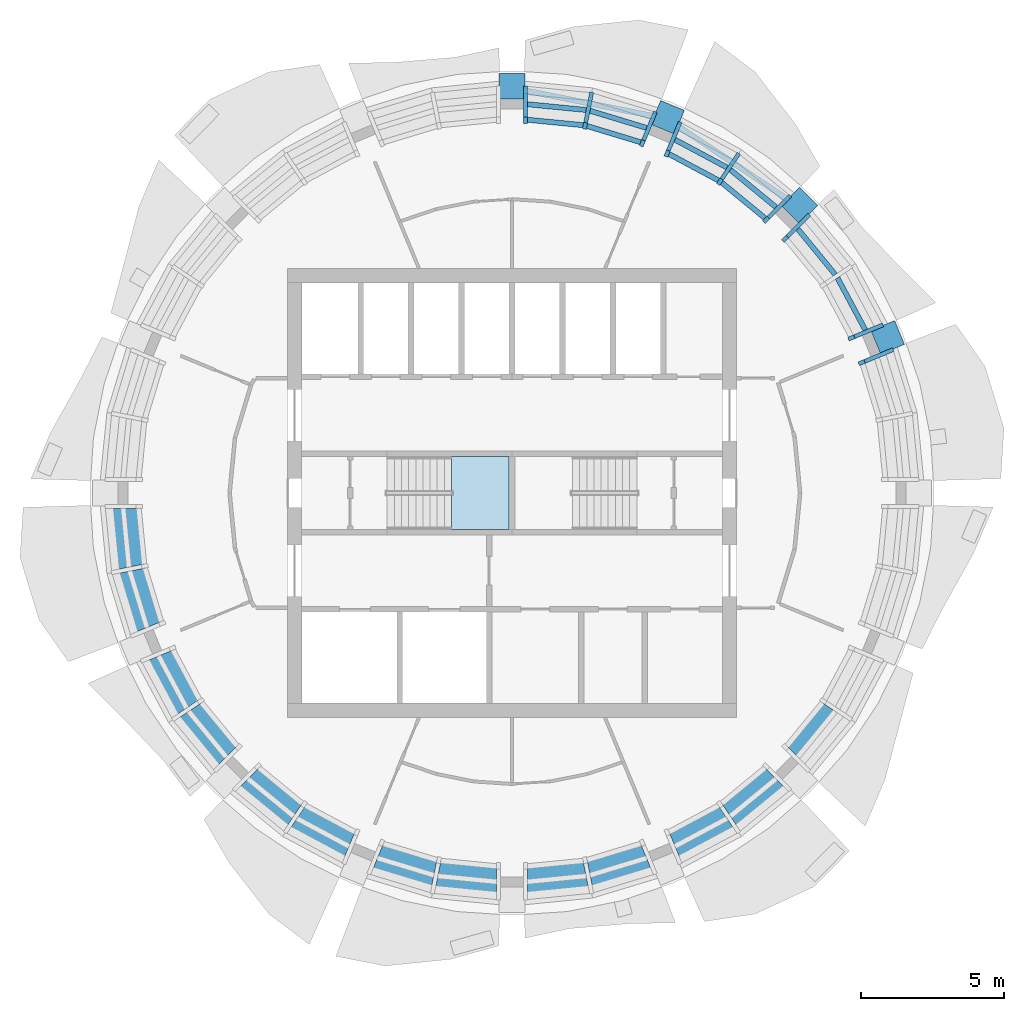
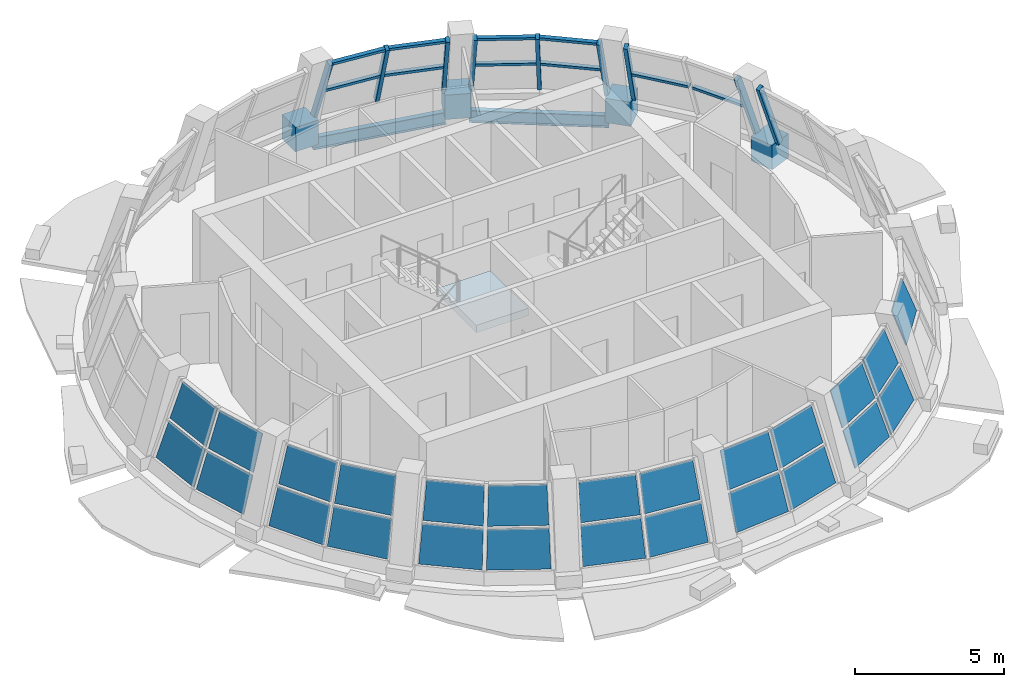
# One storey, part 3 of 12: 25 plates, 23 members, 2 beams, 1 slab, 12 elements without a shape of their own.
"""IFC4 building model written with IfcOpenShell, lengths in metres."""

from ifc_helpers import new_model, si_unit, direction, frame, origin, origin_2d, place, context, subcontext, project, spatial, polyline, rectangle, i_section, outline, extrude, material, layer, layer_set, material_profile, profile_set, type_object, element, aggregate, save


model = new_model("IFC4")

# Units and contexts
model_context = context("Model", 3, precision=1e-05, world=origin(), true_north=direction((0.0, 1.0)))
body_context = subcontext(model_context, "Body", "Model", "MODEL_VIEW")
ifc_project = project(units=[si_unit("LENGTHUNIT", "METRE"), si_unit("AREAUNIT", "SQUARE_METRE"), si_unit("VOLUMEUNIT", "CUBIC_METRE"), si_unit("PLANEANGLEUNIT", "RADIAN"), si_unit("MASSUNIT", "GRAM", prefix="KILO")], contexts=[model_context])

# Site, building, storey
site_placement = place(None, origin())
site = spatial("IfcSite", under=ifc_project, at=site_placement, CompositionType="ELEMENT")
building_placement = place(site_placement, origin())
building = spatial("IfcBuilding", under=site, at=building_placement, Name="Polderwave Tower", CompositionType="ELEMENT")
storey_placement = place(building_placement, frame((0.0, 0.0, 231.199951171875)))
storey = spatial("IfcBuildingStorey", under=building, at=storey_placement, Name="L63", CompositionType="ELEMENT", Elevation=231.199951171875)

# Members
ifc_material_1 = material(Name="Concrete C60/75", Category="concrete")
ifc_material_profile_1 = material_profile(ifc_material_1, rectangle(XDim=0.89990234375, YDim=0.89990234375, at=origin_2d()), Name="RC 900x900")
ifc_profile_set_1 = profile_set([ifc_material_profile_1], Name="Concrete C60/75")
member_type_1 = type_object("IfcMemberType", Name="RC NODE 900x900 C60/75", PredefinedType="POST", material=ifc_profile_set_1)
for number, where, z_axis, x_axis, name in (
    (1, (13.168701171875, 5.45458984375, -0.5), (0.0, 0.0, 1.0), (0.923879532511, 0.382683432365, 0.0), "Ring column node 02"),
    (2, (10.078857421875, 10.078857421875, -0.5), (0.0, 0.0, 1.0), (0.707106781187, 0.707106781187, 0.0), "Ring column node 03"),
    (3, (5.45458984375, 13.168701171875, -0.5), (0.0, 0.0, 1.0), (0.382683432365, 0.923879532511, 0.0), "Ring column node 04"),
    (4, (0.0, 14.253662109375, -0.5), (0.0, 0.0, 1.0), (0.0, 1.0, 0.0), "Ring column node 05"),
):
    element("IfcMember", number, at=place(storey_placement, frame(where, z_axis=z_axis, x_axis=x_axis)), inside=storey, type_object=member_type_1, Name=name, PredefinedType="POST", context=body_context, shape_type="SweptSolid", body=[
        extrude(rectangle(XDim=0.89990234375, YDim=0.89990234375, at=origin_2d()), origin(), (0.0, 0.0, 1.0), 1.0),
    ])

# Beams
ifc_material_2 = material(Name="Steel S355", Category="steel")
ifc_material_profile_2 = material_profile(ifc_material_2, i_section(OverallWidth=0.199951171875, OverallDepth=0.5, WebThickness=0.01025390625, FlangeThickness=0.01611328125, at=origin_2d()), Name="IPE 500")
ifc_profile_set_2 = profile_set([ifc_material_profile_2], Name="Steel S355")
beam_type = type_object("IfcBeamType", Name="RING BEAM IPE 500", PredefinedType="BEAM", material=ifc_profile_set_2)
for number, where, z_axis, x_axis, name in (
    (5, (9.701904296875, 10.267578125, -0.599853515625), (-0.831477504146, 0.55555842186, 0.0), (-0.55555842186, -0.831477504146, 0.0), "ST-RB-L63-02"),
    (6, (5.0341796875, 13.19873046875, -0.599853515625), (-0.980792739661, 0.19505281805, 0.0), (-0.19505281805, -0.980792739661, 0.0), "ST-RB-L63-03"),
):
    element("IfcBeam", number, at=place(storey_placement, frame(where, z_axis=z_axis, x_axis=x_axis)), inside=storey, type_object=beam_type, Name=name, PredefinedType="BEAM", context=body_context, shape_type="SweptSolid", body=[
        extrude(i_section(OverallWidth=0.199951171875, OverallDepth=0.5, WebThickness=0.01025390625, FlangeThickness=0.01611328125, at=origin_2d()), origin(), (0.0, 0.0, 1.0), 4.72509765625),
    ])

# Curtain wall, member
ifc_material_3 = material(Name="Aluminium 6063-T6 and glass", Category="aluminium")
curtain_wall_type = type_object("IfcCurtainWallType", Name="Sky floor glazing, leaning storey wall", PredefinedType="NOTDEFINED", material=ifc_material_3)
curtain_wall_1_placement = place(storey_placement, origin())
curtain_wall_1 = element("IfcCurtainWall", 7, at=curtain_wall_1_placement, inside=storey, type_object=curtain_wall_type, Name="CW10 L63 00", PredefinedType="NOTDEFINED")
ifc_material_4 = material(Name="Aluminium 6063-T6", Category="aluminium")
ifc_material_profile_3 = material_profile(ifc_material_4, rectangle(XDim=0.139892578125, YDim=0.239990234375, at=origin_2d()), Name="AL 140x240")
ifc_profile_set_3 = profile_set([ifc_material_profile_3], Name="Aluminium 6063-T6")
member_type_2 = type_object("IfcMemberType", Name="Sky floor glazing, leaning storey mullion 140x240", PredefinedType="MULLION", material=ifc_profile_set_3)
member_1_placement = place(storey_placement, frame((13.2626953125, 4.9853515625, 0.449951171875), z_axis=(-0.32926301339, -0.136459270255, 0.934325818746), x_axis=(0.38286079474, -0.923806046663, 0.0)))
member_1 = element("IfcMember", 8, at=member_1_placement, type_object=member_type_2, Name="CW10 mullion 3", PredefinedType="MULLION", context=body_context, shape_type="SweptSolid", body=[
    extrude(rectangle(XDim=0.139892578125, YDim=0.239990234375, at=origin_2d()), origin(), (0.0, 0.0, 1.0), 3.050537109375),
])
aggregate(curtain_wall_1, [member_1])

# Curtain wall, members
curtain_wall_2_placement = place(storey_placement, origin())
curtain_wall_2 = element("IfcCurtainWall", 9, at=curtain_wall_2_placement, inside=storey, type_object=curtain_wall_type, Name="CW10 L63 01", PredefinedType="NOTDEFINED")
member_2_placement = place(storey_placement, frame((12.9033203125, 5.85302734375, 0.449951171875), z_axis=(-0.32926301339, -0.136459270255, 0.934325818746), x_axis=(0.38286079474, -0.923806046663, 0.0)))
member_2 = element("IfcMember", 10, at=member_2_placement, type_object=member_type_2, Name="CW10 mullion 1", PredefinedType="MULLION", context=body_context, shape_type="SweptSolid", body=[
    extrude(rectangle(XDim=0.139892578125, YDim=0.239990234375, at=origin_2d()), origin(), (0.0, 0.0, 1.0), 3.050537109375),
])
member_3_placement = place(storey_placement, frame((10.344970703125, 9.681396484375, 0.449951171875), z_axis=(-0.251938953643, -0.252259079378, 0.934286958332), x_axis=(0.707555595257, -0.706657682065, 0.0)))
member_3 = element("IfcMember", 11, at=member_3_placement, type_object=member_type_2, Name="CW10 mullion 3", PredefinedType="MULLION", context=body_context, shape_type="SweptSolid", body=[
    extrude(rectangle(XDim=0.139892578125, YDim=0.239990234375, at=origin_2d()), origin(), (0.0, 0.0, 1.0), 3.050537109375),
])

curtain_wall_3_placement = place(storey_placement, origin())
curtain_wall_3 = element("IfcCurtainWall", 12, at=curtain_wall_3_placement, inside=storey, type_object=curtain_wall_type, Name="CW10 L63 02", PredefinedType="NOTDEFINED")
member_4_placement = place(storey_placement, frame((9.681396484375, 10.344970703125, 0.449951171875), z_axis=(-0.252259079378, -0.251938953643, 0.934286958332), x_axis=(0.706657682065, -0.707555595257, 0.0)))
member_4 = element("IfcMember", 13, at=member_4_placement, type_object=member_type_2, Name="CW10 mullion 1", PredefinedType="MULLION", context=body_context, shape_type="SweptSolid", body=[
    extrude(rectangle(XDim=0.139892578125, YDim=0.239990234375, at=origin_2d()), origin(), (0.0, 0.0, 1.0), 3.050537109375),
])
member_5_placement = place(storey_placement, frame((7.892578125, 11.8125, 0.449951171875), z_axis=(-0.197861038765, -0.296231272035, 0.934397154751), x_axis=(0.831566036771, -0.555425896487, 0.0)))
member_5 = element("IfcMember", 14, at=member_5_placement, type_object=member_type_2, Name="CW10 mullion 2", PredefinedType="MULLION", context=body_context, shape_type="SweptSolid", body=[
    extrude(rectangle(XDim=0.139892578125, YDim=0.239990234375, at=origin_2d()), origin(), (0.0, 0.0, 1.0), 3.05029296875),
])
member_6_placement = place(storey_placement, frame((5.85302734375, 12.9033203125, 0.449951171875), z_axis=(-0.136459270255, -0.32926301339, 0.934325818746), x_axis=(0.923806046663, -0.38286079474, 0.0)))
member_6 = element("IfcMember", 15, at=member_6_placement, type_object=member_type_2, Name="CW10 mullion 3", PredefinedType="MULLION", context=body_context, shape_type="SweptSolid", body=[
    extrude(rectangle(XDim=0.139892578125, YDim=0.239990234375, at=origin_2d()), origin(), (0.0, 0.0, 1.0), 3.050537109375),
])

curtain_wall_4_placement = place(storey_placement, origin())
curtain_wall_4 = element("IfcCurtainWall", 16, at=curtain_wall_4_placement, inside=storey, type_object=curtain_wall_type, Name="CW10 L63 03", PredefinedType="NOTDEFINED")
member_7_placement = place(storey_placement, frame((4.9853515625, 13.2626953125, 0.449951171875), z_axis=(-0.136459270255, -0.32926301339, 0.934325818746), x_axis=(0.923806046663, -0.38286079474, 0.0)))
member_7 = element("IfcMember", 17, at=member_7_placement, type_object=member_type_2, Name="CW10 mullion 1", PredefinedType="MULLION", context=body_context, shape_type="SweptSolid", body=[
    extrude(rectangle(XDim=0.139892578125, YDim=0.239990234375, at=origin_2d()), origin(), (0.0, 0.0, 1.0), 3.050537109375),
])
member_8_placement = place(storey_placement, frame((2.771484375, 13.93359375, 0.449951171875), z_axis=(-0.069316507361, -0.349384012277, 0.934412132719), x_axis=(0.980882010481, -0.194603395436, 0.0)))
member_8 = element("IfcMember", 18, at=member_8_placement, type_object=member_type_2, Name="CW10 mullion 2", PredefinedType="MULLION", context=body_context, shape_type="SweptSolid", body=[
    extrude(rectangle(XDim=0.139892578125, YDim=0.239990234375, at=origin_2d()), origin(), (0.0, 0.0, 1.0), 3.050048828125),
])
member_9_placement = place(storey_placement, frame((0.4697265625, 14.160400390625, 0.449951171875), z_axis=(0.0, -0.35639800773, 0.934334233605), x_axis=(1.0, 0.0, 0.0)))
member_9 = element("IfcMember", 19, at=member_9_placement, type_object=member_type_2, Name="CW10 mullion 3", PredefinedType="MULLION", context=body_context, shape_type="SweptSolid", body=[
    extrude(rectangle(XDim=0.139892578125, YDim=0.239990234375, at=origin_2d()), origin(), (0.0, 0.0, 1.0), 3.05029296875),
])

# Member
ifc_material_profile_4 = material_profile(ifc_material_4, rectangle(XDim=0.179931640625, YDim=0.10009765625, at=origin_2d()), Name="AL 100x180")
ifc_profile_set_4 = profile_set([ifc_material_profile_4], Name="Aluminium 6063-T6")
member_type_3 = type_object("IfcMemberType", Name="Sky floor glazing, leaning storey transom 100x180", PredefinedType="USERDEFINED", material=ifc_profile_set_4)
member_10_placement = place(storey_placement, frame((12.3857421875, 5.7138671875, 1.824951171875), z_axis=(-0.471524318865, 0.881853058462, 0.0), x_axis=(-0.881853058462, -0.471524318865, 0.0)))
member_10 = element("IfcMember", 20, at=member_10_placement, type_object=member_type_3, Name="CW10 transom 1", ObjectType="TRANSOM", PredefinedType="USERDEFINED", context=body_context, shape_type="SweptSolid", body=[
    extrude(rectangle(XDim=0.179931640625, YDim=0.10009765625, at=origin_2d()), origin(), (0.0, 0.0, 1.0), 2.070556640625),
])

member_11_placement = place(storey_placement, frame((11.33203125, 7.655517578125, 1.824951171875), z_axis=(-0.634367203653, 0.773031856348, 0.0), x_axis=(-0.773031856348, -0.634367203653, 0.0)))
member_11 = element("IfcMember", 21, at=member_11_placement, type_object=member_type_3, Name="CW10 transom 3", ObjectType="TRANSOM", PredefinedType="USERDEFINED", context=body_context, shape_type="SweptSolid", body=[
    extrude(rectangle(XDim=0.179931640625, YDim=0.10009765625, at=origin_2d()), origin(), (0.0, 0.0, 1.0), 2.070556640625),
])

aggregate(curtain_wall_2, [member_2, member_3, member_10, member_11])

member_12_placement = place(storey_placement, frame((9.256103515625, 10.0185546875, 1.824951171875), z_axis=(-0.773031856348, 0.634367203653, 0.0), x_axis=(-0.634367203653, -0.773031856348, 0.0)))
member_12 = element("IfcMember", 22, at=member_12_placement, type_object=member_type_3, Name="CW10 transom 1", ObjectType="TRANSOM", PredefinedType="USERDEFINED", context=body_context, shape_type="SweptSolid", body=[
    extrude(rectangle(XDim=0.179931640625, YDim=0.10009765625, at=origin_2d()), origin(), (0.0, 0.0, 1.0), 2.070556640625),
])

member_13_placement = place(storey_placement, frame((8.871337890625, 9.63427734375, 3.25), z_axis=(-0.772787228524, 0.634665186875, 0.0), x_axis=(-0.634665186875, -0.772787228524, 0.0)))
member_13 = element("IfcMember", 23, at=member_13_placement, type_object=member_type_3, Name="CW10 transom 2", ObjectType="TRANSOM", PredefinedType="USERDEFINED", context=body_context, shape_type="SweptSolid", body=[
    extrude(rectangle(XDim=0.179931640625, YDim=0.10009765625, at=origin_2d()), origin(), (0.0, 0.0, 1.0), 1.9638671875),
])

member_14_placement = place(storey_placement, frame((7.539794921875, 11.409423828125, 1.824951171875), z_axis=(-0.881853058462, 0.471524318865, 0.0), x_axis=(-0.471524318865, -0.881853058462, 0.0)))
member_14 = element("IfcMember", 24, at=member_14_placement, type_object=member_type_3, Name="CW10 transom 3", ObjectType="TRANSOM", PredefinedType="USERDEFINED", context=body_context, shape_type="SweptSolid", body=[
    extrude(rectangle(XDim=0.179931640625, YDim=0.10009765625, at=origin_2d()), origin(), (0.0, 0.0, 1.0), 2.070556640625),
])

member_15_placement = place(storey_placement, frame((7.23779296875, 10.9580078125, 3.25), z_axis=(-0.881963746872, 0.471317248998, 0.0), x_axis=(-0.471317248998, -0.881963746872, 0.0)))
member_15 = element("IfcMember", 25, at=member_15_placement, type_object=member_type_3, Name="CW10 transom 4", ObjectType="TRANSOM", PredefinedType="USERDEFINED", context=body_context, shape_type="SweptSolid", body=[
    extrude(rectangle(XDim=0.179931640625, YDim=0.10009765625, at=origin_2d()), origin(), (0.0, 0.0, 1.0), 1.963623046875),
])

aggregate(curtain_wall_3, [member_4, member_5, member_6, member_12, member_13, member_14, member_15])

member_16_placement = place(storey_placement, frame((4.717529296875, 12.79833984375, 1.824951171875), z_axis=(-0.956919202435, 0.290354335272, 0.0), x_axis=(-0.290354335272, -0.956919202435, 0.0)))
member_16 = element("IfcMember", 26, at=member_16_placement, type_object=member_type_3, Name="CW10 transom 1", ObjectType="TRANSOM", PredefinedType="USERDEFINED", context=body_context, shape_type="SweptSolid", body=[
    extrude(rectangle(XDim=0.179931640625, YDim=0.10009765625, at=origin_2d()), origin(), (0.0, 0.0, 1.0), 2.070068359375),
])

member_17_placement = place(storey_placement, frame((4.50927734375, 12.29638671875, 3.25), z_axis=(-0.956914518215, 0.290369772584, 0.0), x_axis=(-0.290369772584, -0.956914518215, 0.0)))
member_17 = element("IfcMember", 27, at=member_17_placement, type_object=member_type_3, Name="CW10 transom 2", ObjectType="TRANSOM", PredefinedType="USERDEFINED", context=body_context, shape_type="SweptSolid", body=[
    extrude(rectangle(XDim=0.179931640625, YDim=0.10009765625, at=origin_2d()), origin(), (0.0, 0.0, 1.0), 1.963134765625),
])

member_18_placement = place(storey_placement, frame((2.599853515625, 13.426513671875, 1.824951171875), z_axis=(-0.995210771888, 0.097752337665, 0.0), x_axis=(-0.097752337665, -0.995210771888, 0.0)))
member_18 = element("IfcMember", 28, at=member_18_placement, type_object=member_type_3, Name="CW10 transom 3", ObjectType="TRANSOM", PredefinedType="USERDEFINED", context=body_context, shape_type="SweptSolid", body=[
    extrude(rectangle(XDim=0.179931640625, YDim=0.10009765625, at=origin_2d()), origin(), (0.0, 0.0, 1.0), 2.070556640625),
])

member_19_placement = place(storey_placement, frame((2.493896484375, 12.8935546875, 3.25), z_axis=(-0.995215261394, 0.097706619467, 0.0), x_axis=(-0.097706619467, -0.995215261394, 0.0)))
member_19 = element("IfcMember", 29, at=member_19_placement, type_object=member_type_3, Name="CW10 transom 4", ObjectType="TRANSOM", PredefinedType="USERDEFINED", context=body_context, shape_type="SweptSolid", body=[
    extrude(rectangle(XDim=0.179931640625, YDim=0.10009765625, at=origin_2d()), origin(), (0.0, 0.0, 1.0), 1.9638671875),
])

aggregate(curtain_wall_4, [member_7, member_8, member_9, member_16, member_17, member_18, member_19])

# Curtain wall, plates
curtain_wall_5_placement = place(storey_placement, origin())
curtain_wall_5 = element("IfcCurtainWall", 30, at=curtain_wall_5_placement, inside=storey, type_object=curtain_wall_type, Name="CW10 L63 08", PredefinedType="NOTDEFINED")
ifc_material_5 = material(Name="Glass, low-e laminated double glazing", Category="glass")
ifc_layer_1 = layer(ifc_material_5, 0.0439453125)
ifc_layer_set_1 = layer_set([ifc_layer_1], Name="Sky floor glazing, leaning storey glass panel 44 mm")
plate_type = type_object("IfcPlateType", Name="Sky floor glazing, leaning storey glass panel 44 mm", PredefinedType="CURTAIN_PANEL", material=ifc_layer_set_1)
plate_1_placement = place(storey_placement, frame((-14.153564453125, -0.539306640625, 0.449951171875), z_axis=(-0.930399256393, -0.091647065086, 0.354905676434), x_axis=(0.09802095897, -0.995184350361, -1.9998532e-05)))
plate_1 = element("IfcPlate", 31, at=plate_1_placement, type_object=plate_type, Name="CW10 panel 1", PredefinedType="CURTAIN_PANEL", context=body_context, shape_type="SweptSolid", body=[
    extrude(outline(polyline([(0.0, 0.0), (2.1730510868447466, 1.3877787807814457e-17), (2.123713377479386, 1.4172538760449493), (0.049510457284205195, 1.4174241631550535), (0.0, 0.0)])), origin(), (0.0, 0.0, -1.0), 0.0439453125),
])
plate_2_placement = place(storey_placement, frame((-13.60986328125, -0.539306640625, 1.875), z_axis=(-0.930405426232, -0.09147355592, 0.354934263499), x_axis=(0.097839480938, -0.99520220851, -1.2117476e-05)))
plate_2 = element("IfcPlate", 32, at=plate_2_placement, type_object=plate_type, Name="CW10 panel 2", PredefinedType="CURTAIN_PANEL", context=body_context, shape_type="SweptSolid", body=[
    extrude(outline(polyline([(0.0, 0.0), (2.066794359597762, -1.3877787807814457e-17), (2.0173753493965147, 1.4172510469834025), (0.049429190430116225, 1.4171987512009916), (0.0, 0.0)])), origin(), (0.0, 0.0, -1.0), 0.0439453125),
])
plate_3_placement = place(storey_placement, frame((-13.913330078125, -2.838623046875, 0.449951171875), z_axis=(-0.894809000311, -0.271232427198, 0.354612215524), x_axis=(0.290084544727, -0.957001022418, 1.554744e-06)))
plate_3 = element("IfcPlate", 33, at=plate_3_placement, type_object=plate_type, Name="CW10 panel 3", PredefinedType="CURTAIN_PANEL", context=body_context, shape_type="SweptSolid", body=[
    extrude(outline(polyline([(0.0, 0.0), (2.173030518417298, -2.7755575615628914e-17), (2.1233271967300715, 1.4172972510548516), (0.049540666105299724, 1.4173043126788745), (0.0, 0.0)])), origin(), (0.0, 0.0, -1.0), 0.0439453125),
])
plate_4_placement = place(storey_placement, frame((-13.380615234375, -2.73291015625, 1.875), z_axis=(-0.894718657232, -0.27137026991, 0.354734691015), x_axis=(0.290253372262, -0.956949831213, 2.0785959e-05)))
plate_4 = element("IfcPlate", 34, at=plate_4_placement, type_object=plate_type, Name="CW10 panel 4", PredefinedType="CURTAIN_PANEL", context=body_context, shape_type="SweptSolid", body=[
    extrude(outline(polyline([(0.0, 0.0), (2.0662815475198637, 2.7755575615628914e-17), (2.0164587458656196, 1.4173263792306952), (0.049725676052363506, 1.417154918046384), (0.0, 0.0)])), origin(), (0.0, 0.0, -1.0), 0.0439453125),
])
aggregate(curtain_wall_5, [plate_1, plate_2, plate_3, plate_4])

curtain_wall_6_placement = place(storey_placement, origin())
curtain_wall_6 = element("IfcCurtainWall", 35, at=curtain_wall_6_placement, inside=storey, type_object=curtain_wall_type, Name="CW10 L63 09", PredefinedType="NOTDEFINED")
plate_5_placement = place(storey_placement, frame((-12.870361328125, -5.914794921875, 0.449951171875), z_axis=(-0.824407783297, -0.440896705905, 0.354911117833), x_axis=(0.471601238954, -0.881811925132, 1.0591349e-05)))
plate_5 = element("IfcPlate", 36, at=plate_5_placement, type_object=plate_type, Name="CW10 panel 1", PredefinedType="CURTAIN_PANEL", context=body_context, shape_type="SweptSolid", body=[
    extrude(outline(polyline([(0.0, 0.0), (2.1731259280979955, 5.551115123125783e-17), (2.123711742939144, 1.4171875194744041), (0.04954926839159157, 1.4174967772826053), (0.0, 0.0)])), origin(), (0.0, 0.0, -1.0), 0.0439453125),
])
plate_6_placement = place(storey_placement, frame((-12.3681640625, -5.70654296875, 1.875), z_axis=(-0.824438831056, -0.440790758493, 0.354970591845), x_axis=(0.471493402395, -0.881869588686, -7.029787e-06)))
plate_6 = element("IfcPlate", 37, at=plate_6_placement, type_object=plate_type, Name="CW10 panel 2", PredefinedType="CURTAIN_PANEL", context=body_context, shape_type="SweptSolid", body=[
    extrude(outline(polyline([(0.0, 0.0), (2.0666227169181397, 0.0), (2.017238796332703, 1.4172609769407765), (0.04967969089085741, 1.4172306420153777), (0.0, 0.0)])), origin(), (0.0, 0.0, -1.0), 0.0439453125),
])
plate_7_placement = place(storey_placement, frame((-11.76806640625, -7.94677734375, 0.449951171875), z_axis=(-0.72286643256, -0.592984766823, 0.354729737962), x_axis=(0.63423540453, -0.773139994582, 2.0423625e-05)))
plate_7 = element("IfcPlate", 38, at=plate_7_placement, type_object=plate_type, Name="CW10 panel 3", PredefinedType="CURTAIN_PANEL", context=body_context, shape_type="SweptSolid", body=[
    extrude(outline(polyline([(0.0, 0.0), (2.1735961699449584, -5.551115123125783e-17), (2.1236660109590892, 1.4173219700936377), (0.04944311446927759, 1.4174147602038998), (0.0, 0.0)])), origin(), (0.0, 0.0, -1.0), 0.0439453125),
])
plate_8_placement = place(storey_placement, frame((-11.31640625, -7.64501953125, 1.875), z_axis=(-0.722710143515, -0.593158133114, 0.354758336874), x_axis=(0.634430098693, -0.772980238523, 2.6926669e-05)))
plate_8 = element("IfcPlate", 39, at=plate_8_placement, type_object=plate_type, Name="CW10 panel 4", PredefinedType="CURTAIN_PANEL", context=body_context, shape_type="SweptSolid", body=[
    extrude(outline(polyline([(0.0, 0.0), (2.06668304705499, 0.0), (2.016888099069515, 1.417326723764326), (0.04957838295473363, 1.4171817775401245), (0.0, 0.0)])), origin(), (0.0, 0.0, -1.0), 0.0439453125),
])
aggregate(curtain_wall_6, [plate_5, plate_6, plate_7, plate_8])

curtain_wall_7_placement = place(storey_placement, origin())
curtain_wall_7 = element("IfcCurtainWall", 40, at=curtain_wall_7_placement, inside=storey, type_object=curtain_wall_type, Name="CW10 L63 10", PredefinedType="NOTDEFINED")
plate_9_placement = place(storey_placement, frame((-9.627197265625, -10.389404296875, 0.449951171875), z_axis=(-0.592967052885, -0.722757775373, 0.354980664729), x_axis=(0.773107246266, -0.634275323318, -8.34618e-07)))
plate_9 = element("IfcPlate", 41, at=plate_9_placement, type_object=plate_type, Name="CW10 panel 1", PredefinedType="CURTAIN_PANEL", context=body_context, shape_type="SweptSolid", body=[
    extrude(outline(polyline([(0.0, 0.0), (2.173596173541578, 5.551115123125783e-17), (2.1239981991721435, 1.41725350271533), (0.04980920706495231, 1.417510858723486), (0.0, 0.0)])), origin(), (0.0, 0.0, -1.0), 0.0439453125),
])
plate_10_placement = place(storey_placement, frame((-9.242431640625, -10.005126953125, 1.875), z_axis=(-0.593136596283, -0.722581133892, 0.355057013862), x_axis=(0.772941557402, -0.634477224829, -3.79675e-06)))
plate_10 = element("IfcPlate", 42, at=plate_10_placement, type_object=plate_type, Name="CW10 panel 2", PredefinedType="CURTAIN_PANEL", context=body_context, shape_type="SweptSolid", body=[
    extrude(outline(polyline([(0.0, 0.0), (2.06668305288994, 5.551115123125783e-17), (2.017138459739057, 1.4173037547171323), (0.04967385729591405, 1.4172873705524436), (0.0, 0.0)])), origin(), (0.0, 0.0, -1.0), 0.0439453125),
])
plate_11_placement = place(storey_placement, frame((-7.8310546875, -11.845458984375, 0.449951171875), z_axis=(-0.440991167485, -0.824426700023, 0.354749780113), x_axis=(0.88177912994, -0.471662554961, 1.5797799e-05)))
plate_11 = element("IfcPlate", 43, at=plate_11_placement, type_object=plate_type, Name="CW10 panel 3", PredefinedType="CURTAIN_PANEL", context=body_context, shape_type="SweptSolid", body=[
    extrude(outline(polyline([(0.0, 0.0), (2.173125926910861, 5.551115123125783e-17), (2.1238069469218415, 1.4173440021161872), (0.0494141828115768, 1.4174157713407327), (0.0, 0.0)])), origin(), (0.0, 0.0, -1.0), 0.0439453125),
])
plate_12_placement = place(storey_placement, frame((-7.529052734375, -11.393798828125, 1.875), z_axis=(-0.44087727192, -0.824505874789, 0.354707335056), x_axis=(0.88184988815, -0.471530247435, 2.2874576e-05)))
plate_12 = element("IfcPlate", 44, at=plate_12_placement, type_object=plate_type, Name="CW10 panel 4", PredefinedType="CURTAIN_PANEL", context=body_context, shape_type="SweptSolid", body=[
    extrude(outline(polyline([(0.0, 0.0), (2.066622713026084, -5.551115123125783e-17), (2.017173243241897, 1.4173061244139769), (0.04928371727824402, 1.4171437109995688), (0.0, 0.0)])), origin(), (0.0, 0.0, -1.0), 0.0439453125),
])
aggregate(curtain_wall_7, [plate_9, plate_10, plate_11, plate_12])

curtain_wall_8_placement = place(storey_placement, origin())
curtain_wall_8 = element("IfcCurtainWall", 45, at=curtain_wall_8_placement, inside=storey, type_object=curtain_wall_type, Name="CW10 L63 11", PredefinedType="NOTDEFINED")
plate_13_placement = place(storey_placement, frame((-4.918212890625, -13.282958984375, 0.449951171875), z_axis=(-0.271176581522, -0.894748818055, 0.354806727985), x_axis=(0.957010781538, -0.290052346682, -1.4323716e-05)))
plate_13 = element("IfcPlate", 46, at=plate_13_placement, type_object=plate_type, Name="CW10 panel 1", PredefinedType="CURTAIN_PANEL", context=body_context, shape_type="SweptSolid", body=[
    extrude(outline(polyline([(0.0, 0.0), (2.1730305166674078, 0.0), (2.123652674179683, 1.4171840533906883), (0.049632495847560146, 1.417380116391567), (0.0, 0.0)])), origin(), (0.0, 0.0, -1.0), 0.0439453125),
])
plate_14_placement = place(storey_placement, frame((-4.710205078125, -12.78076171875, 1.875), z_axis=(-0.271353670768, -0.894646544561, 0.35492921219), x_axis=(0.956948459513, -0.290257894768, -1.9004807e-05)))
plate_14 = element("IfcPlate", 47, at=plate_14_placement, type_object=plate_type, Name="CW10 panel 2", PredefinedType="CURTAIN_PANEL", context=body_context, shape_type="SweptSolid", body=[
    extrude(outline(polyline([(0.0, 0.0), (2.066281548104996, 0.0), (2.016718621904961, 1.4172629885724353), (0.04975192737120978, 1.417180999416361), (0.0, 0.0)])), origin(), (0.0, 0.0, -1.0), 0.0439453125),
])
plate_15_placement = place(storey_placement, frame((-2.701904296875, -13.940673828125, 0.449951171875), z_axis=(-0.091633398487, -0.930468638129, 0.354727266699), x_axis=(0.995186219339, -0.098001983012, 1.2752723e-05)))
plate_15 = element("IfcPlate", 48, at=plate_15_placement, type_object=plate_type, Name="CW10 panel 3", PredefinedType="CURTAIN_PANEL", context=body_context, shape_type="SweptSolid", body=[
    extrude(outline(polyline([(0.0, 0.0), (2.173051088890387, -1.3877787807814457e-17), (2.1235645456601255, 1.4173379734492588), (0.049361631508813904, 1.417395904788711), (0.0, 0.0)])), origin(), (0.0, 0.0, -1.0), 0.0439453125),
])
plate_16_placement = place(storey_placement, frame((-2.59619140625, -13.40771484375, 1.875), z_axis=(-0.091448287875, -0.930504523382, 0.354680902518), x_axis=(0.995205394792, -0.097807066084, -2.48029e-07)))
plate_16 = element("IfcPlate", 49, at=plate_16_placement, type_object=plate_type, Name="CW10 panel 4", PredefinedType="CURTAIN_PANEL", context=body_context, shape_type="SweptSolid", body=[
    extrude(outline(polyline([(0.0, 0.0), (2.0667943608017256, 0.0), (2.0173890468295816, 1.4173408094013742), (0.04946677025460004, 1.4170786226058576), (0.0, 0.0)])), origin(), (0.0, 0.0, -1.0), 0.0439453125),
])
aggregate(curtain_wall_8, [plate_13, plate_14, plate_15, plate_16])

curtain_wall_9_placement = place(storey_placement, origin())
curtain_wall_9 = element("IfcCurtainWall", 50, at=curtain_wall_9_placement, inside=storey, type_object=curtain_wall_type, Name="CW10 L63 12", PredefinedType="NOTDEFINED")
plate_17_placement = place(storey_placement, frame((0.539306640625, -14.153564453125, 0.449951171875), z_axis=(0.091647065086, -0.930399256393, 0.354905676434), x_axis=(0.995184350361, 0.09802095897, -1.9998532e-05)))
plate_17 = element("IfcPlate", 51, at=plate_17_placement, type_object=plate_type, Name="CW10 panel 1", PredefinedType="CURTAIN_PANEL", context=body_context, shape_type="SweptSolid", body=[
    extrude(outline(polyline([(0.0, 0.0), (2.1730510868447466, 1.3877787807814457e-17), (2.123713377479386, 1.4172538760449493), (0.049510457284205195, 1.4174241631550535), (0.0, 0.0)])), origin(), (0.0, 0.0, -1.0), 0.0439453125),
])
plate_18_placement = place(storey_placement, frame((0.539306640625, -13.60986328125, 1.875), z_axis=(0.09147355592, -0.930405426232, 0.354934263499), x_axis=(0.99520220851, 0.097839480938, -1.2117476e-05)))
plate_18 = element("IfcPlate", 52, at=plate_18_placement, type_object=plate_type, Name="CW10 panel 2", PredefinedType="CURTAIN_PANEL", context=body_context, shape_type="SweptSolid", body=[
    extrude(outline(polyline([(0.0, 0.0), (2.066794359597762, -1.3877787807814457e-17), (2.0173753493965147, 1.4172510469834025), (0.049429190430116225, 1.4171987512009916), (0.0, 0.0)])), origin(), (0.0, 0.0, -1.0), 0.0439453125),
])
plate_19_placement = place(storey_placement, frame((2.838623046875, -13.913330078125, 0.449951171875), z_axis=(0.271232427198, -0.894809000311, 0.354612215524), x_axis=(0.957001022418, 0.290084544727, 1.554744e-06)))
plate_19 = element("IfcPlate", 53, at=plate_19_placement, type_object=plate_type, Name="CW10 panel 3", PredefinedType="CURTAIN_PANEL", context=body_context, shape_type="SweptSolid", body=[
    extrude(outline(polyline([(0.0, 0.0), (2.173030518417298, -2.7755575615628914e-17), (2.1233271967300715, 1.4172972510548516), (0.049540666105299724, 1.4173043126788745), (0.0, 0.0)])), origin(), (0.0, 0.0, -1.0), 0.0439453125),
])
plate_20_placement = place(storey_placement, frame((2.73291015625, -13.380615234375, 1.875), z_axis=(0.27137026991, -0.894718657232, 0.354734691015), x_axis=(0.956949831213, 0.290253372262, 2.0785959e-05)))
plate_20 = element("IfcPlate", 54, at=plate_20_placement, type_object=plate_type, Name="CW10 panel 4", PredefinedType="CURTAIN_PANEL", context=body_context, shape_type="SweptSolid", body=[
    extrude(outline(polyline([(0.0, 0.0), (2.0662815475198637, 2.7755575615628914e-17), (2.0164587458656196, 1.4173263792306952), (0.049725676052363506, 1.417154918046384), (0.0, 0.0)])), origin(), (0.0, 0.0, -1.0), 0.0439453125),
])
aggregate(curtain_wall_9, [plate_17, plate_18, plate_19, plate_20])

curtain_wall_10_placement = place(storey_placement, origin())
curtain_wall_10 = element("IfcCurtainWall", 55, at=curtain_wall_10_placement, inside=storey, type_object=curtain_wall_type, Name="CW10 L63 13", PredefinedType="NOTDEFINED")
plate_21_placement = place(storey_placement, frame((5.914794921875, -12.870361328125, 0.449951171875), z_axis=(0.440896705905, -0.824407783297, 0.354911117833), x_axis=(0.881811925132, 0.471601238954, 1.0591349e-05)))
plate_21 = element("IfcPlate", 56, at=plate_21_placement, type_object=plate_type, Name="CW10 panel 1", PredefinedType="CURTAIN_PANEL", context=body_context, shape_type="SweptSolid", body=[
    extrude(outline(polyline([(0.0, 0.0), (2.1731259280979955, 5.551115123125783e-17), (2.123711742939144, 1.4171875194744041), (0.04954926839159157, 1.4174967772826053), (0.0, 0.0)])), origin(), (0.0, 0.0, -1.0), 0.0439453125),
])
plate_22_placement = place(storey_placement, frame((5.70654296875, -12.3681640625, 1.875), z_axis=(0.440790758493, -0.824438831056, 0.354970591845), x_axis=(0.881869588686, 0.471493402395, -7.029787e-06)))
plate_22 = element("IfcPlate", 57, at=plate_22_placement, type_object=plate_type, Name="CW10 panel 2", PredefinedType="CURTAIN_PANEL", context=body_context, shape_type="SweptSolid", body=[
    extrude(outline(polyline([(0.0, 0.0), (2.0666227169181397, 0.0), (2.017238796332703, 1.4172609769407765), (0.04967969089085741, 1.4172306420153777), (0.0, 0.0)])), origin(), (0.0, 0.0, -1.0), 0.0439453125),
])
plate_23_placement = place(storey_placement, frame((7.94677734375, -11.76806640625, 0.449951171875), z_axis=(0.592984766823, -0.72286643256, 0.354729737962), x_axis=(0.773139994582, 0.63423540453, 2.0423625e-05)))
plate_23 = element("IfcPlate", 58, at=plate_23_placement, type_object=plate_type, Name="CW10 panel 3", PredefinedType="CURTAIN_PANEL", context=body_context, shape_type="SweptSolid", body=[
    extrude(outline(polyline([(0.0, 0.0), (2.1735961699449584, -5.551115123125783e-17), (2.1236660109590892, 1.4173219700936377), (0.04944311446927759, 1.4174147602038998), (0.0, 0.0)])), origin(), (0.0, 0.0, -1.0), 0.0439453125),
])
plate_24_placement = place(storey_placement, frame((7.64501953125, -11.31640625, 1.875), z_axis=(0.593158133114, -0.722710143515, 0.354758336874), x_axis=(0.772980238523, 0.634430098693, 2.6926669e-05)))
plate_24 = element("IfcPlate", 59, at=plate_24_placement, type_object=plate_type, Name="CW10 panel 4", PredefinedType="CURTAIN_PANEL", context=body_context, shape_type="SweptSolid", body=[
    extrude(outline(polyline([(0.0, 0.0), (2.06668304705499, 0.0), (2.016888099069515, 1.417326723764326), (0.04957838295473363, 1.4171817775401245), (0.0, 0.0)])), origin(), (0.0, 0.0, -1.0), 0.0439453125),
])
aggregate(curtain_wall_10, [plate_21, plate_22, plate_23, plate_24])

# Curtain wall, plate
curtain_wall_11_placement = place(storey_placement, origin())
curtain_wall_11 = element("IfcCurtainWall", 60, at=curtain_wall_11_placement, inside=storey, type_object=curtain_wall_type, Name="CW10 L63 14", PredefinedType="NOTDEFINED")
plate_25_placement = place(storey_placement, frame((10.005126953125, -9.242431640625, 1.875), z_axis=(0.722581133892, -0.593136596283, 0.355057013862), x_axis=(0.634477224829, 0.772941557402, -3.79675e-06)))
plate_25 = element("IfcPlate", 61, at=plate_25_placement, type_object=plate_type, Name="CW10 panel 2", PredefinedType="CURTAIN_PANEL", context=body_context, shape_type="SweptSolid", body=[
    extrude(outline(polyline([(0.0, 0.0), (2.06668305288994, 5.551115123125783e-17), (2.017138459739057, 1.4173037547171323), (0.04967385729591405, 1.4172873705524436), (0.0, 0.0)])), origin(), (0.0, 0.0, -1.0), 0.0439453125),
])
aggregate(curtain_wall_11, [plate_25])

# Stair, slab
ifc_material_6 = material(Name="Concrete C40/50", Category="concrete")
stair_type = type_object("IfcStairType", Name="Exit stair 1200 x 20 risers", PredefinedType="HALF_TURN_STAIR", material=ifc_material_6)
stair_placement = place(storey_placement, origin())
stair = element("IfcStair", 62, at=stair_placement, inside=storey, type_object=stair_type, Name="L63 Exit stair A", PredefinedType="HALF_TURN_STAIR")
ifc_layer_2 = layer(ifc_material_6, 0.300048828125)
ifc_layer_set_2 = layer_set([ifc_layer_2], Name="Stair landing 300")
slab_type = type_object("IfcSlabType", Name="Stair landing 300", PredefinedType="LANDING", material=ifc_layer_set_2)
slab_placement = place(storey_placement, frame((0.0, 0.0, 1.800048828125)))
slab = element("IfcSlab", 63, at=slab_placement, type_object=slab_type, Name="ST-A landing 1", PredefinedType="LANDING", context=body_context, shape_type="SweptSolid", body=[
    extrude(outline(polyline([(-2.1240234375, -1.27490234375), (-0.10009765625, -1.27490234375), (-0.10009765625, 1.27490234375), (-2.1240234375, 1.27490234375), (-2.1240234375, -1.27490234375)])), origin(), (0.0, 0.0, 1.0), 0.300048828125),
])
aggregate(stair, [slab])

save(model, "model.ifc")
